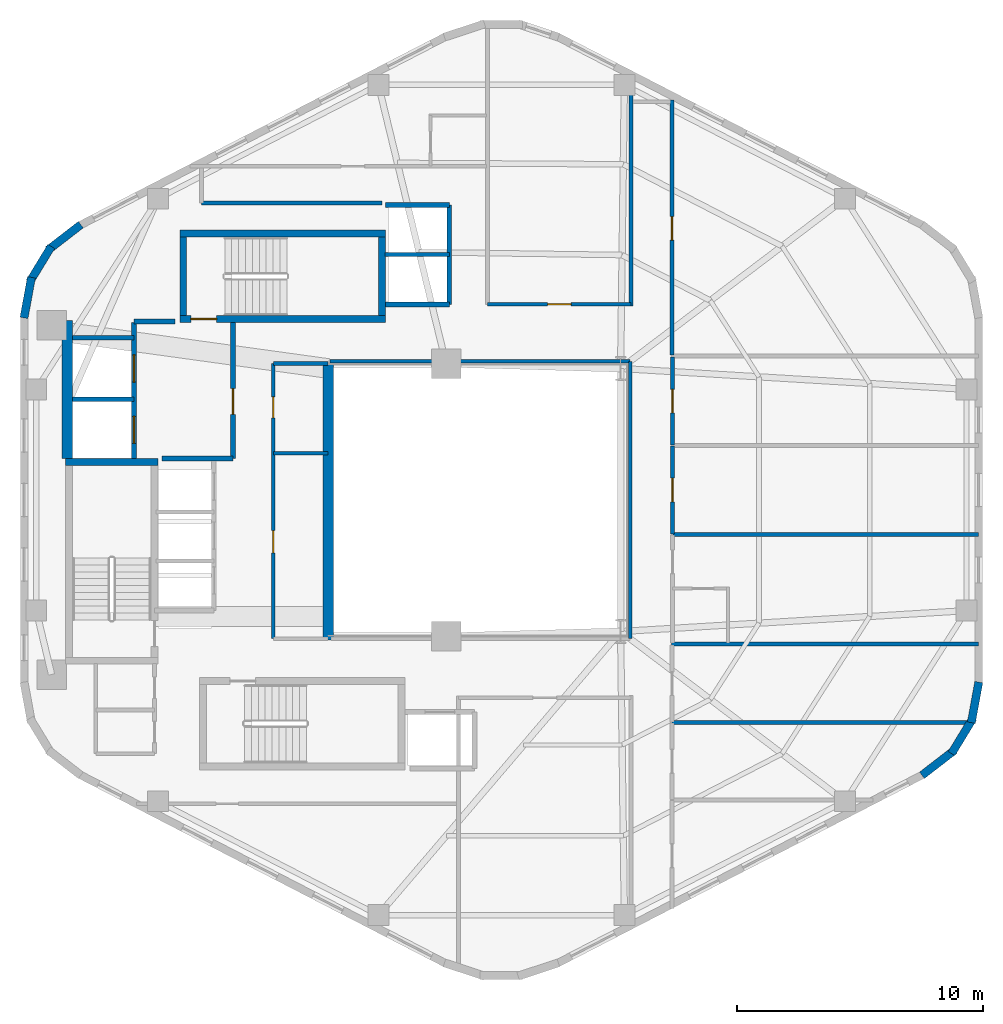
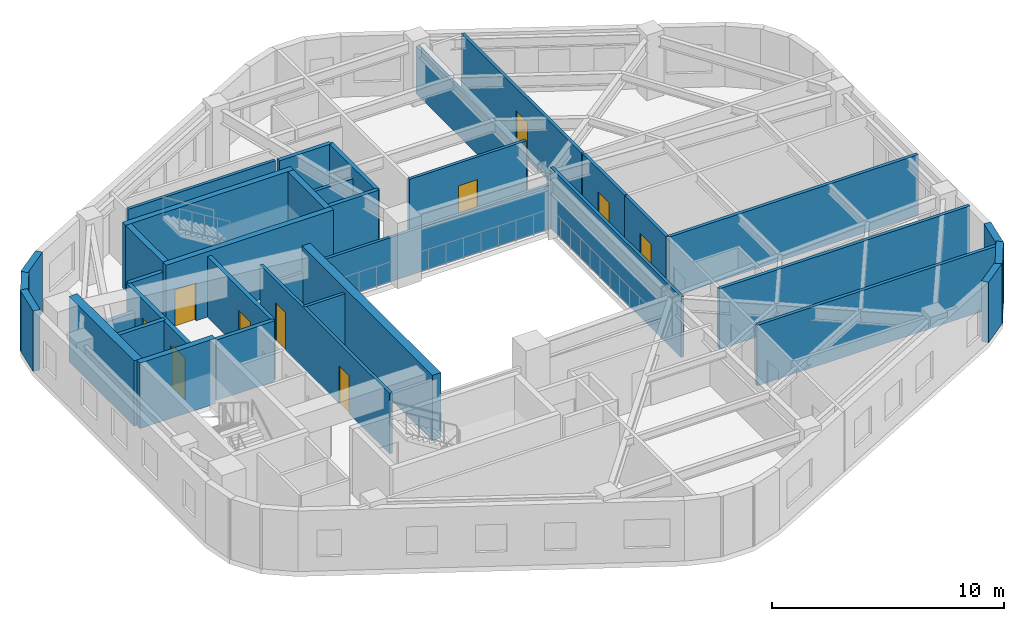
# One storey, part 4 of 7: 37 walls, 10 doors, 10 openings.
"""IFC4 building model written with IfcOpenShell, lengths in metres."""

from ifc_helpers import new_model, si_unit, direction, frame, frame_2d, origin, place, context, subcontext, project, spatial, rectangle, extrude, material, layer, layer_set, type_object, element, fill, save


model = new_model("IFC4")

# Units and contexts
model_context = context("Model", 3, precision=1e-05, world=origin(), true_north=direction((0.0, 1.0)))
body_context = subcontext(model_context, "Body", "Model", "MODEL_VIEW")
ifc_project = project(units=[si_unit("LENGTHUNIT", "METRE"), si_unit("AREAUNIT", "SQUARE_METRE"), si_unit("VOLUMEUNIT", "CUBIC_METRE"), si_unit("PLANEANGLEUNIT", "RADIAN"), si_unit("MASSUNIT", "GRAM", prefix="KILO"), si_unit("THERMODYNAMICTEMPERATUREUNIT", "KELVIN"), si_unit("POWERUNIT", "WATT")], contexts=[model_context])

# Site, building, storey
site_placement = place(None, origin())
site = spatial("IfcSite", under=ifc_project, at=site_placement, CompositionType="ELEMENT")
building_placement = place(site_placement, origin())
building = spatial("IfcBuilding", under=site, at=building_placement, Name="Skarre Station Tower", CompositionType="ELEMENT")
storey_placement = place(building_placement, frame((0.0, 0.0, 196.449951171875)))
storey = spatial("IfcBuildingStorey", under=building, at=storey_placement, Name="L53", CompositionType="ELEMENT", Elevation=196.449951171875)

# Wall
ifc_material_1 = material(Name="Acoustic Steel-Stud Gypsum Partition", Category="steel")
ifc_layer_1 = layer(ifc_material_1, 0.14990234375, Name="Acoustic Steel-Stud Gypsum Partition")
ifc_layer_set_1 = layer_set([ifc_layer_1], Name="Acoustic Steel-Stud Gypsum Partition")
wall_type_1 = type_object("IfcWallType", Name="Fire-Rated Corridor Acoustic Partition 150", PredefinedType="PARTITIONING", material=ifc_layer_set_1)
wall_1_placement = place(storey_placement, frame((25.320068359375, 25.89990234375, 0.0), z_axis=(0.0, 0.0, 1.0), x_axis=(1.0, 0.0, 0.0)))
element("IfcWall", 1, at=wall_1_placement, inside=storey, type_object=wall_type_1, Name="L53 Interior Partition WL-PT-L53-RC2-M", PredefinedType="PARTITIONING", context=body_context, shape_type="SweptSolid", body=[
    extrude(rectangle(XDim=2.22998046875, YDim=0.14990234375, at=frame_2d((1.114990234375, 0.0))), origin(), (0.0, 0.0, 1.0), 3.18994140625),
])

# Wall, openings, doors
wall_2_placement = place(storey_placement, frame((25.320068359375, 29.550048828125, 0.0), z_axis=(0.0, 0.0, 1.0), x_axis=(0.0, -1.0, 0.0)))
wall_2 = element("IfcWall", 2, at=wall_2_placement, inside=storey, type_object=wall_type_1, Name="L53 Interior Partition WL-PT-L53-RC2-W", PredefinedType="PARTITIONING", context=body_context, shape_type="SweptSolid", body=[
    extrude(rectangle(XDim=11.18994140625, YDim=0.14990234375, at=frame_2d((5.594970703125, 0.0))), origin(), (0.0, 0.0, 1.0), 3.18994140625),
])
opening_1_placement = place(wall_2_placement, frame((1.35009765625, 0.0, 0.0)))
opening_1 = element("IfcOpeningElement", 3, at=opening_1_placement, cuts=wall_2, Name="Opening DR-SVC86", PredefinedType="OPENING", context=body_context, shape_type="SweptSolid", body=[
    extrude(rectangle(XDim=0.860107421875, YDim=2.0, at=frame_2d((0.43017578125, 1.0))), frame((0.0, 0.0849609375, 0.0), z_axis=(0.0, -1.0, 0.0), x_axis=(1.0, 0.0, 0.0)), (0.0, 0.0, 1.0), 0.169921875),
])
opening_2_placement = place(wall_2_placement, frame((6.800048828125, 0.0, 0.0)))
opening_2 = element("IfcOpeningElement", 4, at=opening_2_placement, cuts=wall_2, Name="Opening DR-SVC90", PredefinedType="OPENING", context=body_context, shape_type="SweptSolid", body=[
    extrude(rectangle(XDim=0.89990234375, YDim=2.0, at=frame_2d((0.449951171875, 1.0))), frame((0.0, 0.0849609375, 0.0), z_axis=(0.0, -1.0, 0.0), x_axis=(1.0, 0.0, 0.0)), (0.0, 0.0, 1.0), 0.169921875),
])
ifc_material_2 = material(Name="Powder-Coated Hollow-Metal Acoustic Fire Leaf", Category="steel")
door_type_1 = type_object("IfcDoorType", Name="Compact Riser Fire Door FD60 860x2100", OperationType="SINGLE_SWING_LEFT", PredefinedType="DOOR", material=ifc_material_2)
door_1_placement = place(opening_1_placement, origin())
door_1 = element("IfcDoor", 5, at=door_1_placement, inside=storey, type_object=door_type_1, Name="L53 Housekeeping Room Door", OperationType="SINGLE_SWING_LEFT", OverallHeight=2.0, OverallWidth=0.860107421875, PredefinedType="DOOR", context=body_context, shape_type="SweptSolid", body=[
    extrude(rectangle(XDim=0.860107421875, YDim=2.0, at=frame_2d((0.43017578125, 1.0))), frame((0.0, 0.02490234375, 0.0), z_axis=(0.0, -1.0, 0.0), x_axis=(1.0, 0.0, 0.0)), (0.0, 0.0, 1.0), 0.050048828125),
])
fill(opening_1, door_1)
door_type_2 = type_object("IfcDoorType", Name="Service & Riser Fire Door FD60 900x2100", OperationType="SINGLE_SWING_LEFT", PredefinedType="DOOR", material=ifc_material_2)
door_2_placement = place(opening_2_placement, origin())
door_2 = element("IfcDoor", 6, at=door_2_placement, inside=storey, type_object=door_type_2, Name="L53 Tasting Pantry Door", OperationType="SINGLE_SWING_LEFT", OverallHeight=2.0, OverallWidth=0.89990234375, PredefinedType="DOOR", context=body_context, shape_type="SweptSolid", body=[
    extrude(rectangle(XDim=0.89990234375, YDim=2.0, at=frame_2d((0.449951171875, 1.0))), frame((0.0, 0.02490234375, 0.0), z_axis=(0.0, -1.0, 0.0), x_axis=(1.0, 0.0, 0.0)), (0.0, 0.0, 1.0), 0.050048828125),
])
fill(opening_2, door_2)

# Walls
wall_3_placement = place(storey_placement, frame((27.550048828125, 29.550048828125, 0.0), z_axis=(0.0, 0.0, 1.0), x_axis=(-1.0, 0.0, 0.0)))
element("IfcWall", 7, at=wall_3_placement, inside=storey, type_object=wall_type_1, Name="L53 Interior Partition WL-PT-L53-RC2-N", PredefinedType="PARTITIONING", context=body_context, shape_type="SweptSolid", body=[
    extrude(rectangle(XDim=2.22998046875, YDim=0.14990234375, at=frame_2d((1.114990234375, 0.0))), origin(), (0.0, 0.0, 1.0), 2.090087890625),
])
wall_4_placement = place(storey_placement, frame((39.840087890625, 29.639892578125, 0.0), z_axis=(0.0, 0.0, 1.0), x_axis=(-1.0, 0.0, 0.0)))
element("IfcWall", 8, at=wall_4_placement, inside=storey, type_object=wall_type_1, Name="L53 Interior Partition WL-PT-L53-ATRW-N", PredefinedType="PARTITIONING", context=body_context, shape_type="SweptSolid", body=[
    extrude(rectangle(XDim=12.203125, YDim=0.14990234375, at=frame_2d((6.1015625, 0.0))), origin(), (0.0, 0.0, 1.0), 2.3310546875),
])
wall_5_placement = place(storey_placement, frame((39.840087890625, 18.360107421875, 0.0), z_axis=(0.0, 0.0, 1.0), x_axis=(0.0, 1.0, 0.0)))
element("IfcWall", 9, at=wall_5_placement, inside=storey, type_object=wall_type_1, Name="L53 Interior Partition WL-PT-L53-ATRW-E", PredefinedType="PARTITIONING", context=body_context, shape_type="SweptSolid", body=[
    extrude(rectangle(XDim=11.27978515625, YDim=0.14990234375, at=frame_2d((5.639892578125, 0.0))), origin(), (0.0, 0.0, 1.0), 3.18994140625),
])

# Wall, opening, door
wall_6_placement = place(storey_placement, frame((39.8798828125, 31.9599609375, 0.0), z_axis=(0.0, 0.0, 1.0), x_axis=(-1.0, 0.0, 0.0)))
wall_6 = element("IfcWall", 10, at=wall_6_placement, inside=storey, type_object=wall_type_1, Name="L53 Interior Partition WL-PT-L53-NWC1-CW", PredefinedType="PARTITIONING", context=body_context, shape_type="SweptSolid", body=[
    extrude(rectangle(XDim=5.83984375, YDim=0.14990234375, at=frame_2d((2.919921875, 0.0))), origin(), (0.0, 0.0, 1.0), 3.18994140625),
])
opening_3_placement = place(wall_6_placement, frame((2.43994140625, 0.0, 0.0)))
opening_3 = element("IfcOpeningElement", 11, at=opening_3_placement, cuts=wall_6, Name="Opening DR-FD60", PredefinedType="OPENING", context=body_context, shape_type="SweptSolid", body=[
    extrude(rectangle(XDim=0.9599609375, YDim=2.0, at=frame_2d((0.47998046875, 1.0))), frame((0.0, 0.0849609375, 0.0), z_axis=(0.0, -1.0, 0.0), x_axis=(1.0, 0.0, 0.0)), (0.0, 0.0, 1.0), 0.169921875),
])
ifc_material_3 = material(Name="Nordic White-Oak Veneer Solid-Core Fire Leaf", Category="wood")
door_type_3 = type_object("IfcDoorType", Name="Corridor Suite Entry Fire Door FD60 960x2150", OperationType="SINGLE_SWING_LEFT", PredefinedType="DOOR", material=ifc_material_3)
door_3_placement = place(opening_3_placement, origin())
door_3 = element("IfcDoor", 12, at=door_3_placement, inside=storey, type_object=door_type_3, Name="L53 NWC1 Entry Door", OperationType="SINGLE_SWING_LEFT", OverallHeight=2.0, OverallWidth=0.9599609375, PredefinedType="DOOR", context=body_context, shape_type="SweptSolid", body=[
    extrude(rectangle(XDim=0.9599609375, YDim=2.0, at=frame_2d((0.47998046875, 1.0))), frame((0.0, 0.02490234375, 0.0), z_axis=(0.0, -1.0, 0.0), x_axis=(1.0, 0.0, 0.0)), (0.0, 0.0, 1.0), 0.050048828125),
])
fill(opening_3, door_3)

wall_7_placement = place(storey_placement, frame((41.5400390625, 40.27490234375, 0.0), z_axis=(0.0, 0.0, 1.0), x_axis=(0.0, -1.0, 0.0)))
wall_7 = element("IfcWall", 13, at=wall_7_placement, inside=storey, type_object=wall_type_1, Name="L53 Interior Partition WL-PT-L53-NW1-CW", PredefinedType="PARTITIONING", context=body_context, shape_type="SweptSolid", body=[
    extrude(rectangle(XDim=10.375, YDim=0.14990234375, at=frame_2d((5.1875, 0.0))), origin(), (0.0, 0.0, 1.0), 3.18994140625),
])
opening_4_placement = place(wall_7_placement, frame((4.7451171875, 0.0, 0.0)))
opening_4 = element("IfcOpeningElement", 14, at=opening_4_placement, cuts=wall_7, Name="Opening DR-FD60", PredefinedType="OPENING", context=body_context, shape_type="SweptSolid", body=[
    extrude(rectangle(XDim=0.9599609375, YDim=2.0, at=frame_2d((0.47998046875, 1.0))), frame((0.0, 0.0849609375, 0.0), z_axis=(0.0, -1.0, 0.0), x_axis=(1.0, 0.0, 0.0)), (0.0, 0.0, 1.0), 0.169921875),
])
door_4_placement = place(opening_4_placement, origin())
door_4 = element("IfcDoor", 15, at=door_4_placement, inside=storey, type_object=door_type_3, Name="L53 NW1 Entry Door", OperationType="SINGLE_SWING_LEFT", OverallHeight=2.0, OverallWidth=0.9599609375, PredefinedType="DOOR", context=body_context, shape_type="SweptSolid", body=[
    extrude(rectangle(XDim=0.9599609375, YDim=2.0, at=frame_2d((0.47998046875, 1.0))), frame((0.0, 0.02490234375, 0.0), z_axis=(0.0, -1.0, 0.0), x_axis=(1.0, 0.0, 0.0)), (0.0, 0.0, 1.0), 0.050048828125),
])
fill(opening_4, door_4)

wall_8_placement = place(storey_placement, frame((41.56005859375, 22.62109375, 0.0), z_axis=(0.0, 0.0, 1.0), x_axis=(0.0, 1.0, 0.0)))
wall_8 = element("IfcWall", 16, at=wall_8_placement, inside=storey, type_object=wall_type_1, Name="L53 Interior Partition WL-PT-L53-EW2-CW", PredefinedType="PARTITIONING", context=body_context, shape_type="SweptSolid", body=[
    extrude(rectangle(XDim=3.572998046875, YDim=0.14990234375, at=frame_2d((1.78662109375, 0.0))), origin(), (0.0, 0.0, 1.0), 3.18994140625),
])
opening_5_placement = place(wall_8_placement, frame((1.306884765625, 0.0, 0.0)))
opening_5 = element("IfcOpeningElement", 17, at=opening_5_placement, cuts=wall_8, Name="Opening DR-FD60", PredefinedType="OPENING", context=body_context, shape_type="SweptSolid", body=[
    extrude(rectangle(XDim=0.9599609375, YDim=2.0, at=frame_2d((0.47998046875, 1.0))), frame((0.0, 0.0849609375, 0.0), z_axis=(0.0, -1.0, 0.0), x_axis=(1.0, 0.0, 0.0)), (0.0, 0.0, 1.0), 0.169921875),
])
door_5_placement = place(opening_5_placement, origin())
door_5 = element("IfcDoor", 18, at=door_5_placement, inside=storey, type_object=door_type_3, Name="L53 EW2 Entry Door", OperationType="SINGLE_SWING_LEFT", OverallHeight=2.0, OverallWidth=0.9599609375, PredefinedType="DOOR", context=body_context, shape_type="SweptSolid", body=[
    extrude(rectangle(XDim=0.9599609375, YDim=2.0, at=frame_2d((0.47998046875, 1.0))), frame((0.0, 0.02490234375, 0.0), z_axis=(0.0, -1.0, 0.0), x_axis=(1.0, 0.0, 0.0)), (0.0, 0.0, 1.0), 0.050048828125),
])
fill(opening_5, door_5)

wall_9_placement = place(storey_placement, frame((41.56005859375, 26.22998046875, 0.0), z_axis=(0.0, 0.0, 1.0), x_axis=(0.0, 1.0, 0.0)))
wall_9 = element("IfcWall", 19, at=wall_9_placement, inside=storey, type_object=wall_type_1, Name="L53 Interior Partition WL-PT-L53-EW3-CW", PredefinedType="PARTITIONING", context=body_context, shape_type="SweptSolid", body=[
    extrude(rectangle(XDim=3.590087890625, YDim=0.14990234375, at=frame_2d((1.794921875, 0.0))), origin(), (0.0, 0.0, 1.0), 3.18994140625),
])
opening_6_placement = place(wall_9_placement, frame((1.31494140625, 0.0, 0.0)))
opening_6 = element("IfcOpeningElement", 20, at=opening_6_placement, cuts=wall_9, Name="Opening DR-FD60", PredefinedType="OPENING", context=body_context, shape_type="SweptSolid", body=[
    extrude(rectangle(XDim=0.9599609375, YDim=2.0, at=frame_2d((0.47998046875, 1.0))), frame((0.0, 0.0849609375, 0.0), z_axis=(0.0, -1.0, 0.0), x_axis=(1.0, 0.0, 0.0)), (0.0, 0.0, 1.0), 0.169921875),
])
door_6_placement = place(opening_6_placement, origin())
door_6 = element("IfcDoor", 21, at=door_6_placement, inside=storey, type_object=door_type_3, Name="L53 EW3 Entry Door", OperationType="SINGLE_SWING_LEFT", OverallHeight=2.0, OverallWidth=0.9599609375, PredefinedType="DOOR", context=body_context, shape_type="SweptSolid", body=[
    extrude(rectangle(XDim=0.9599609375, YDim=2.0, at=frame_2d((0.47998046875, 1.0))), frame((0.0, 0.02490234375, 0.0), z_axis=(0.0, -1.0, 0.0), x_axis=(1.0, 0.0, 0.0)), (0.0, 0.0, 1.0), 0.050048828125),
])
fill(opening_6, door_6)

# Walls
wall_10_placement = place(storey_placement, frame((29.7529296875, 36.080078125, 0.0), z_axis=(0.0, 0.0, 1.0), x_axis=(-1.0, 0.0, 0.0)))
element("IfcWall", 22, at=wall_10_placement, inside=storey, type_object=wall_type_1, Name="L53 Interior Partition WL-PT-L53-CSEAL-1", PredefinedType="PARTITIONING", context=body_context, shape_type="SweptSolid", body=[
    extrude(rectangle(XDim=7.35302734375, YDim=0.14990234375, at=frame_2d((3.676513671875, 0.0))), origin(), (0.0, 0.0, 1.0), 3.18994140625),
])
ifc_material_4 = material(Name="Precast concrete C45/55", Category="concrete")
ifc_layer_2 = layer(ifc_material_4, 0.330078125, Name="Precast concrete C45/55")
ifc_layer_set_2 = layer_set([ifc_layer_2], Name="Precast concrete C45/55")
wall_type_2 = type_object("IfcWallType", Name="Nordic Rounded Corner Precast Wall 330", PredefinedType="STANDARD", material=ifc_layer_set_2)
wall_11_placement = place(storey_placement, frame((15.178955078125, 31.407958984375, 0.0), z_axis=(0.0, 0.0, 1.0), x_axis=(0.180717642671, 0.983535019014, 0.0)))
element("IfcWall", 23, at=wall_11_placement, inside=storey, type_object=wall_type_2, Name="L53 Rounded Corner Precast Wall F2-1", PredefinedType="STANDARD", context=body_context, shape_type="SweptSolid", body=[
    extrude(rectangle(XDim=1.676513671875, YDim=0.330078125, at=frame_2d((0.83837890625, 0.0))), origin(), (0.0, 0.0, 1.0), 3.18994140625),
])
wall_12_placement = place(storey_placement, frame((15.4150390625, 32.882080078125, 0.0), z_axis=(0.0, 0.0, 1.0), x_axis=(0.520325409202, 0.853968072318, 0.0)))
element("IfcWall", 24, at=wall_12_placement, inside=storey, type_object=wall_type_2, Name="L53 Rounded Corner Precast Wall F2-2", PredefinedType="STANDARD", context=body_context, shape_type="SweptSolid", body=[
    extrude(rectangle(XDim=1.677978515625, YDim=0.330078125, at=frame_2d((0.8388671875, 0.0))), origin(), (0.0, 0.0, 1.0), 3.18994140625),
])
for number, where, z_axis, x_axis, name in (
    (25, (16.162109375, 34.175048828125, 0.0), (0.0, 0.0, 1.0), (0.791409877269, 0.611285862884, 0.0), "L53 Rounded Corner Precast Wall F2-3"),
    (26, (54.02099609375, 16.592041015625, 0.0), (0.0, 0.0, 1.0), (-0.180717642671, -0.983535019014, 0.0), "L53 Rounded Corner Precast Wall F5-1"),
):
    element("IfcWall", number, at=place(storey_placement, frame(where, z_axis=z_axis, x_axis=x_axis)), inside=storey, type_object=wall_type_2, Name=name, PredefinedType="STANDARD", context=body_context, shape_type="SweptSolid", body=[
        extrude(rectangle(XDim=1.676513671875, YDim=0.330078125, at=frame_2d((0.83837890625, 0.0))), origin(), (0.0, 0.0, 1.0), 3.18994140625),
    ])
wall_13_placement = place(storey_placement, frame((53.784912109375, 15.117919921875, 0.0), z_axis=(0.0, 0.0, 1.0), x_axis=(-0.520219286058, -0.85403272444, 0.0)))
element("IfcWall", 27, at=wall_13_placement, inside=storey, type_object=wall_type_2, Name="L53 Rounded Corner Precast Wall F5-2", PredefinedType="STANDARD", context=body_context, shape_type="SweptSolid", body=[
    extrude(rectangle(XDim=1.677734375, YDim=0.330078125, at=frame_2d((0.8388671875, 0.0))), origin(), (0.0, 0.0, 1.0), 3.18994140625),
])
wall_14_placement = place(storey_placement, frame((53.0380859375, 13.824951171875, 0.0), z_axis=(0.0, 0.0, 1.0), x_axis=(-0.791464279355, -0.611215423976, 0.0)))
element("IfcWall", 28, at=wall_14_placement, inside=storey, type_object=wall_type_2, Name="L53 Rounded Corner Precast Wall F5-3", PredefinedType="STANDARD", context=body_context, shape_type="SweptSolid", body=[
    extrude(rectangle(XDim=1.6767578125, YDim=0.330078125, at=frame_2d((0.83837890625, 0.0))), origin(), (0.0, 0.0, 1.0), 3.18994140625),
])
ifc_material_5 = material(Name="Concrete C50/60", Category="concrete")
ifc_layer_3 = layer(ifc_material_5, 0.280029296875, Name="Concrete C50/60")
ifc_layer_set_3 = layer_set([ifc_layer_3], Name="Concrete C50/60")
wall_type_3 = type_object("IfcWallType", Name="RC Core Shear Wall 280", PredefinedType="SHEAR", material=ifc_layer_set_3)
wall_15_placement = place(storey_placement, frame((20.6298828125, 25.5400390625, 0.0), z_axis=(0.0, 0.0, 1.0), x_axis=(-1.0, 0.0, 0.0)))
element("IfcWall", 29, at=wall_15_placement, inside=storey, type_object=wall_type_3, Name="L53 Stair ST-1 North Shear Wall", PredefinedType="SHEAR", context=body_context, shape_type="SweptSolid", body=[
    extrude(rectangle(XDim=3.759765625, YDim=0.280029296875, at=frame_2d((1.8798828125, 0.0))), origin(), (0.0, 0.0, 1.0), 3.449951171875),
])

# Wall, opening, door
wall_16_placement = place(storey_placement, frame((21.52001953125, 31.360107421875, 0.0), z_axis=(0.0, 0.0, 1.0), x_axis=(1.0, 0.0, 0.0)))
wall_16 = element("IfcWall", 30, at=wall_16_placement, inside=storey, type_object=wall_type_3, Name="L53 Stair ST-3 South Shear Wall", PredefinedType="SHEAR", context=body_context, shape_type="SweptSolid", body=[
    extrude(rectangle(XDim=8.35986328125, YDim=0.280029296875, at=frame_2d((4.179931640625, 0.0))), origin(), (0.0, 0.0, 1.0), 3.449951171875),
])
opening_7_placement = place(wall_16_placement, frame((0.449951171875, 0.0, 0.0)))
opening_7 = element("IfcOpeningElement", 31, at=opening_7_placement, cuts=wall_16, Name="Opening DR-FD90", PredefinedType="OPENING", context=body_context, shape_type="SweptSolid", body=[
    extrude(rectangle(XDim=1.050048828125, YDim=2.0, at=frame_2d((0.52490234375, 1.0))), frame((0.0, 0.14990234375, 0.0), z_axis=(0.0, -1.0, 0.0), x_axis=(1.0, 0.0, 0.0)), (0.0, 0.0, 1.0), 0.300048828125),
])
ifc_material_6 = material(Name="Fire-Rated Insulated Steel Frame & Timber Core Leaf", Category="steel")
door_type_4 = type_object("IfcDoorType", Name="Stair & FSAE Lobby Fire Door FD90 1050x2150", OperationType="SINGLE_SWING_RIGHT", PredefinedType="DOOR", material=ifc_material_6)
door_7_placement = place(opening_7_placement, origin())
door_7 = element("IfcDoor", 32, at=door_7_placement, inside=storey, type_object=door_type_4, Name="L53 Stair ST-3 & FSAE Lobby Direct Exit Door", OperationType="SINGLE_SWING_LEFT", OverallHeight=2.0, OverallWidth=1.050048828125, PredefinedType="DOOR", context=body_context, shape_type="SweptSolid", body=[
    extrude(rectangle(XDim=1.050048828125, YDim=2.0, at=frame_2d((0.52490234375, 1.0))), frame((0.0, 0.02490234375, 0.0), z_axis=(0.0, -1.0, 0.0), x_axis=(1.0, 0.0, 0.0)), (0.0, 0.0, 1.0), 0.050048828125),
])
fill(opening_7, door_7)

# Walls
wall_17_placement = place(storey_placement, frame((29.8798828125, 34.840087890625, 0.0), z_axis=(0.0, 0.0, 1.0), x_axis=(-1.0, 0.0, 0.0)))
element("IfcWall", 33, at=wall_17_placement, inside=storey, type_object=wall_type_3, Name="L53 Stair ST-3 North Shear Wall", PredefinedType="SHEAR", context=body_context, shape_type="SweptSolid", body=[
    extrude(rectangle(XDim=8.35986328125, YDim=0.280029296875, at=frame_2d((4.179931640625, 0.0))), origin(), (0.0, 0.0, 1.0), 3.449951171875),
])
for number, where, z_axis, x_axis, name in (
    (34, (21.659912109375, 34.699951171875, 0.0), (0.0, 0.0, 1.0), (0.0, -1.0, 0.0), "L53 Stair ST-3 West Shear Wall"),
    (35, (29.739990234375, 31.5, 0.0), (0.0, 0.0, 1.0), (0.0, 1.0, 0.0), "L53 Stair ST-3 East Shear Wall"),
):
    element("IfcWall", number, at=place(storey_placement, frame(where, z_axis=z_axis, x_axis=x_axis)), inside=storey, type_object=wall_type_3, Name=name, PredefinedType="SHEAR", context=body_context, shape_type="SweptSolid", body=[
        extrude(rectangle(XDim=3.199951171875, YDim=0.280029296875, at=frame_2d((1.60009765625, 0.0))), origin(), (0.0, 0.0, 1.0), 3.449951171875),
    ])
ifc_material_7 = material(Name="Concrete C60/75", Category="concrete")
ifc_layer_4 = layer(ifc_material_7, 0.419921875, Name="Concrete C60/75")
ifc_layer_set_4 = layer_set([ifc_layer_4], Name="Concrete C60/75")
wall_type_4 = type_object("IfcWallType", Name="RC Core Shear Wall 420", PredefinedType="SHEAR", material=ifc_layer_set_4)
wall_18_placement = place(storey_placement, frame((16.93994140625, 25.679931640625, 0.0), z_axis=(0.0, 0.0, 1.0), x_axis=(0.0, 1.0, 0.0)))
element("IfcWall", 36, at=wall_18_placement, inside=storey, type_object=wall_type_4, Name="L53 Core West-North Shear Wall", PredefinedType="SHEAR", context=body_context, shape_type="SweptSolid", body=[
    extrude(rectangle(XDim=5.6201171875, YDim=0.419921875, at=frame_2d((2.81005859375, 0.0))), origin(), (0.0, 0.0, 1.0), 3.449951171875),
])
wall_19_placement = place(storey_placement, frame((27.550048828125, 29.550048828125, 0.0), z_axis=(0.0, 0.0, 1.0), x_axis=(0.0, -1.0, 0.0)))
element("IfcWall", 37, at=wall_19_placement, inside=storey, type_object=wall_type_4, Name="L53 Core East Atrium Shear Wall", PredefinedType="SHEAR", context=body_context, shape_type="SweptSolid", body=[
    extrude(rectangle(XDim=11.25, YDim=0.419921875, at=frame_2d((5.625, 0.0))), origin(), (0.0, 0.0, 1.0), 3.449951171875),
])

# Wall, openings, doors
ifc_material_8 = material(Name="Gypsum Concrete Shaft Assembly C30/37", Category="concrete")
ifc_layer_5 = layer(ifc_material_8, 0.199951171875, Name="Gypsum Concrete Shaft Assembly C30/37")
ifc_layer_set_5 = layer_set([ifc_layer_5], Name="Gypsum Concrete Shaft Assembly C30/37")
wall_type_5 = type_object("IfcWallType", Name="Shaft & Core Fire Partition 200", PredefinedType="PARTITIONING", material=ifc_layer_set_5)
wall_20_placement = place(storey_placement, frame((19.64990234375, 25.679931640625, 0.0), z_axis=(0.0, 0.0, 1.0), x_axis=(0.0, 1.0, 0.0)))
wall_20 = element("IfcWall", 38, at=wall_20_placement, inside=storey, type_object=wall_type_5, Name="L53 Interior Partition WL-PT-L53-FSAE-W", PredefinedType="PARTITIONING", context=body_context, shape_type="SweptSolid", body=[
    extrude(rectangle(XDim=5.5400390625, YDim=0.199951171875, at=frame_2d((2.77001953125, 0.0))), origin(), (0.0, 0.0, 1.0), 3.18994140625),
])
opening_8_placement = place(wall_20_placement, frame((0.6201171875, 0.0, 0.0)))
opening_8 = element("IfcOpeningElement", 39, at=opening_8_placement, cuts=wall_20, Name="Opening LD-FF1", PredefinedType="OPENING", context=body_context, shape_type="SweptSolid", body=[
    extrude(rectangle(XDim=1.10009765625, YDim=2.199951171875, at=frame_2d((0.550048828125, 1.10009765625))), frame((0.0, 0.10986328125, 0.0), z_axis=(0.0, -1.0, 0.0), x_axis=(1.0, 0.0, 0.0)), (0.0, 0.0, 1.0), 0.219970703125),
])
opening_9_placement = place(wall_20_placement, frame((3.1201171875, 0.0, 0.0)))
opening_9 = element("IfcOpeningElement", 40, at=opening_9_placement, cuts=wall_20, Name="Opening LD-FF2", PredefinedType="OPENING", context=body_context, shape_type="SweptSolid", body=[
    extrude(rectangle(XDim=1.10009765625, YDim=2.199951171875, at=frame_2d((0.550048828125, 1.10009765625))), frame((0.0, 0.10986328125, 0.0), z_axis=(0.0, -1.0, 0.0), x_axis=(1.0, 0.0, 0.0)), (0.0, 0.0, 1.0), 0.219970703125),
])
ifc_material_9 = material(Name="Fire-Rated Stainless Steel Grade 316L Sliding Leaves", Category="steel")
door_type_5 = type_object("IfcDoorType", Name="Fire Service Access Elevator Sliding Landing Door 1100x2200", OperationType="SLIDING_TO_LEFT", PredefinedType="DOOR", material=ifc_material_9)
door_8_placement = place(opening_8_placement, origin())
door_8 = element("IfcDoor", 41, at=door_8_placement, inside=storey, type_object=door_type_5, Name="L53 Firefighting Lift LF-FF1 Landing Door", OperationType="SLIDING_TO_LEFT", OverallHeight=2.199951171875, OverallWidth=1.10009765625, PredefinedType="DOOR", context=body_context, shape_type="SweptSolid", body=[
    extrude(rectangle(XDim=1.10009765625, YDim=2.199951171875, at=frame_2d((0.550048828125, 1.10009765625))), frame((0.0, 0.02490234375, 0.0), z_axis=(0.0, -1.0, 0.0), x_axis=(1.0, 0.0, 0.0)), (0.0, 0.0, 1.0), 0.050048828125),
])
fill(opening_8, door_8)
door_9_placement = place(opening_9_placement, origin())
door_9 = element("IfcDoor", 42, at=door_9_placement, inside=storey, type_object=door_type_5, Name="L53 Firefighting Lift LF-FF2 Landing Door", OperationType="SLIDING_TO_LEFT", OverallHeight=2.199951171875, OverallWidth=1.10009765625, PredefinedType="DOOR", context=body_context, shape_type="SweptSolid", body=[
    extrude(rectangle(XDim=1.10009765625, YDim=2.199951171875, at=frame_2d((0.550048828125, 1.10009765625))), frame((0.0, 0.02490234375, 0.0), z_axis=(0.0, -1.0, 0.0), x_axis=(1.0, 0.0, 0.0)), (0.0, 0.0, 1.0), 0.050048828125),
])
fill(opening_9, door_9)

# Wall
wall_21_placement = place(storey_placement, frame((20.79296875, 25.679931640625, 0.0), z_axis=(0.0, 0.0, 1.0), x_axis=(1.0, 0.0, 0.0)))
element("IfcWall", 43, at=wall_21_placement, inside=storey, type_object=wall_type_5, Name="L53 Interior Partition WL-PT-L53-FSAE-S", PredefinedType="PARTITIONING", context=body_context, shape_type="SweptSolid", body=[
    extrude(rectangle(XDim=2.886962890625, YDim=0.199951171875, at=frame_2d((1.443359375, 0.0))), origin(), (0.0, 0.0, 1.0), 3.18994140625),
])

# Wall, opening, door
wall_22_placement = place(storey_placement, frame((23.679931640625, 25.679931640625, 0.0), z_axis=(0.0, 0.0, 1.0), x_axis=(0.0, 1.0, 0.0)))
wall_22 = element("IfcWall", 44, at=wall_22_placement, inside=storey, type_object=wall_type_5, Name="L53 Interior Partition WL-PT-L53-FSAE-E", PredefinedType="PARTITIONING", context=body_context, shape_type="SweptSolid", body=[
    extrude(rectangle(XDim=5.5400390625, YDim=0.199951171875, at=frame_2d((2.77001953125, 0.0))), origin(), (0.0, 0.0, 1.0), 3.18994140625),
])
opening_10_placement = place(wall_22_placement, frame((1.800048828125, 0.0, 0.0)))
opening_10 = element("IfcOpeningElement", 45, at=opening_10_placement, cuts=wall_22, Name="Opening DR-FD90", PredefinedType="OPENING", context=body_context, shape_type="SweptSolid", body=[
    extrude(rectangle(XDim=1.050048828125, YDim=2.0, at=frame_2d((0.52490234375, 1.0))), frame((0.0, 0.10986328125, 0.0), z_axis=(0.0, -1.0, 0.0), x_axis=(1.0, 0.0, 0.0)), (0.0, 0.0, 1.0), 0.219970703125),
])
door_10_placement = place(opening_10_placement, origin())
door_10 = element("IfcDoor", 46, at=door_10_placement, inside=storey, type_object=door_type_4, Name="L53 FSAE Lobby Fire Door", OperationType="SINGLE_SWING_RIGHT", OverallHeight=2.0, OverallWidth=1.050048828125, PredefinedType="DOOR", context=body_context, shape_type="SweptSolid", body=[
    extrude(rectangle(XDim=1.050048828125, YDim=2.0, at=frame_2d((0.52490234375, 1.0))), frame((0.0, 0.02490234375, 0.0), z_axis=(0.0, -1.0, 0.0), x_axis=(1.0, 0.0, 0.0)), (0.0, 0.0, 1.0), 0.050048828125),
])
fill(opening_10, door_10)

# Walls
wall_23_placement = place(storey_placement, frame((21.330078125, 31.260009765625, 0.0), z_axis=(0.0, 0.0, 1.0), x_axis=(-1.0, 0.0, 0.0)))
element("IfcWall", 47, at=wall_23_placement, inside=storey, type_object=wall_type_5, Name="L53 Interior Partition WL-PT-L53-FSAE-N", PredefinedType="PARTITIONING", context=body_context, shape_type="SweptSolid", body=[
    extrude(rectangle(XDim=1.68017578125, YDim=0.199951171875, at=frame_2d((0.840087890625, 0.0))), origin(), (0.0, 0.0, 1.0), 3.18994140625),
])
wall_24_placement = place(storey_placement, frame((17.14990234375, 28.10009765625, 0.0), z_axis=(0.0, 0.0, 1.0), x_axis=(1.0, 0.0, 0.0)))
element("IfcWall", 48, at=wall_24_placement, inside=storey, type_object=wall_type_5, Name="L53 Interior Partition WL-PT-L53-FF-DIV", PredefinedType="PARTITIONING", context=body_context, shape_type="SweptSolid", body=[
    extrude(rectangle(XDim=2.5, YDim=0.199951171875, at=frame_2d((1.25, 0.0))), origin(), (0.0, 0.0, 1.0), 3.18994140625),
])
wall_25_placement = place(storey_placement, frame((19.64990234375, 30.60009765625, 0.0), z_axis=(0.0, 0.0, 1.0), x_axis=(-1.0, 0.0, 0.0)))
element("IfcWall", 49, at=wall_25_placement, inside=storey, type_object=wall_type_5, Name="L53 Interior Partition WL-PT-L53-FF-N", PredefinedType="PARTITIONING", context=body_context, shape_type="SweptSolid", body=[
    extrude(rectangle(XDim=2.5, YDim=0.199951171875, at=frame_2d((1.25, 0.0))), origin(), (0.0, 0.0, 1.0), 2.090087890625),
])
wall_26_placement = place(storey_placement, frame((32.47998046875, 31.949951171875, 0.0), z_axis=(0.0, 0.0, 1.0), x_axis=(0.0, 1.0, 0.0)))
element("IfcWall", 50, at=wall_26_placement, inside=storey, type_object=wall_type_5, Name="L53 Interior Partition WL-PT-L53-EX-E", PredefinedType="PARTITIONING", context=body_context, shape_type="SweptSolid", body=[
    extrude(rectangle(XDim=4.050048828125, YDim=0.199951171875, at=frame_2d((2.02490234375, 0.0))), origin(), (0.0, 0.0, 1.0), 3.18994140625),
])
for number, where, z_axis, x_axis, name in (
    (51, (29.8798828125, 36.0, 0.0), (0.0, 0.0, 1.0), (1.0, 0.0, 0.0), "L53 Interior Partition WL-PT-L53-EX-N"),
    (52, (32.47998046875, 31.949951171875, 0.0), (0.0, 0.0, 1.0), (-1.0, 0.0, 0.0), "L53 Interior Partition WL-PT-L53-EX-S"),
):
    element("IfcWall", number, at=place(storey_placement, frame(where, z_axis=z_axis, x_axis=x_axis)), inside=storey, type_object=wall_type_5, Name=name, PredefinedType="PARTITIONING", context=body_context, shape_type="SweptSolid", body=[
        extrude(rectangle(XDim=2.60009765625, YDim=0.199951171875, at=frame_2d((1.300048828125, 0.0))), origin(), (0.0, 0.0, 1.0), 3.18994140625),
    ])
wall_27_placement = place(storey_placement, frame((29.875, 33.97998046875, 0.0), z_axis=(0.0, 0.0, 1.0), x_axis=(1.0, 0.0, 0.0)))
element("IfcWall", 53, at=wall_27_placement, inside=storey, type_object=wall_type_5, Name="L53 Interior Partition WL-PT-L53-EX-DIV", PredefinedType="PARTITIONING", context=body_context, shape_type="SweptSolid", body=[
    extrude(rectangle(XDim=2.60498046875, YDim=0.159912109375, at=frame_2d((1.302490234375, 0.0))), origin(), (0.0, 0.0, 1.0), 2.58203125),
])
ifc_layer_6 = layer(ifc_material_1, 0.1650390625, Name="Acoustic Steel-Stud Gypsum Partition")
ifc_layer_set_6 = layer_set([ifc_layer_6], Name="Acoustic Steel-Stud Gypsum Partition")
wall_type_6 = type_object("IfcWallType", Name="Suite Demising Acoustic Partition 165", PredefinedType="PARTITIONING", material=ifc_layer_set_6)
wall_28_placement = place(storey_placement, frame((39.8798828125, 31.889892578125, 0.0), z_axis=(0.0, 0.0, 1.0), x_axis=(0.0, 1.0, 0.0)))
element("IfcWall", 54, at=wall_28_placement, inside=storey, type_object=wall_type_6, Name="L53 Interior Partition WL-PT-L53-NWC-E", PredefinedType="PARTITIONING", context=body_context, shape_type="SweptSolid", body=[
    extrude(rectangle(XDim=9.406005859375, YDim=0.1650390625, at=frame_2d((4.703125, 0.0))), origin(), (0.0, 0.0, 1.0), 2.4970703125),
])
wall_29_placement = place(storey_placement, frame((41.52001953125, 18.139892578125, 0.0), z_axis=(0.0, 0.0, 1.0), x_axis=(1.0, 0.0, 0.0)))
element("IfcWall", 55, at=wall_29_placement, inside=storey, type_object=wall_type_6, Name="L53 Interior Partition WL-PT-L53-EWB-S", PredefinedType="PARTITIONING", context=body_context, shape_type="SweptSolid", body=[
    extrude(rectangle(XDim=12.48193359375, YDim=0.1650390625, at=frame_2d((6.240966796875, 0.0))), origin(), (0.0, 0.0, 1.0), 3.18994140625),
])
wall_30_placement = place(storey_placement, frame((41.590087890625, 22.60302734375, 0.0), z_axis=(0.0, 0.0, 1.0), x_axis=(1.0, 0.0, 0.0)))
element("IfcWall", 56, at=wall_30_placement, inside=storey, type_object=wall_type_6, Name="L53 Interior Partition WL-PT-L53-EW-P1", PredefinedType="PARTITIONING", context=body_context, shape_type="SweptSolid", body=[
    extrude(rectangle(XDim=12.411865234375, YDim=0.1650390625, at=frame_2d((6.2060546875, 0.0))), origin(), (0.0, 0.0, 1.0), 3.18994140625),
])
wall_31_placement = place(storey_placement, frame((41.550048828125, 14.947998046875, 0.0), z_axis=(0.0, 0.0, 1.0), x_axis=(1.0, 0.0, 0.0)))
element("IfcWall", 57, at=wall_31_placement, inside=storey, type_object=wall_type_6, Name="L53 Interior Partition WL-PT-L53-SW-P2", PredefinedType="PARTITIONING", context=body_context, shape_type="SweptSolid", body=[
    extrude(rectangle(XDim=12.125, YDim=0.1650390625, at=frame_2d((6.0625, 0.0))), origin(), (0.0, 0.0, 1.0), 3.18994140625),
])

save(model, "model.ifc")
